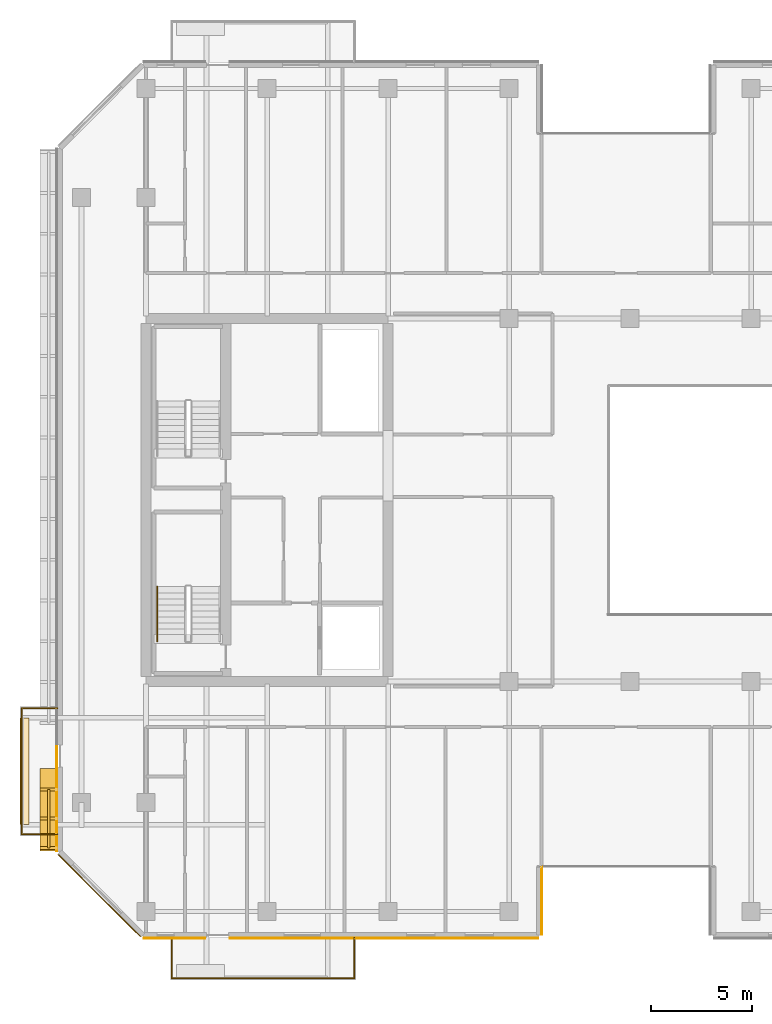
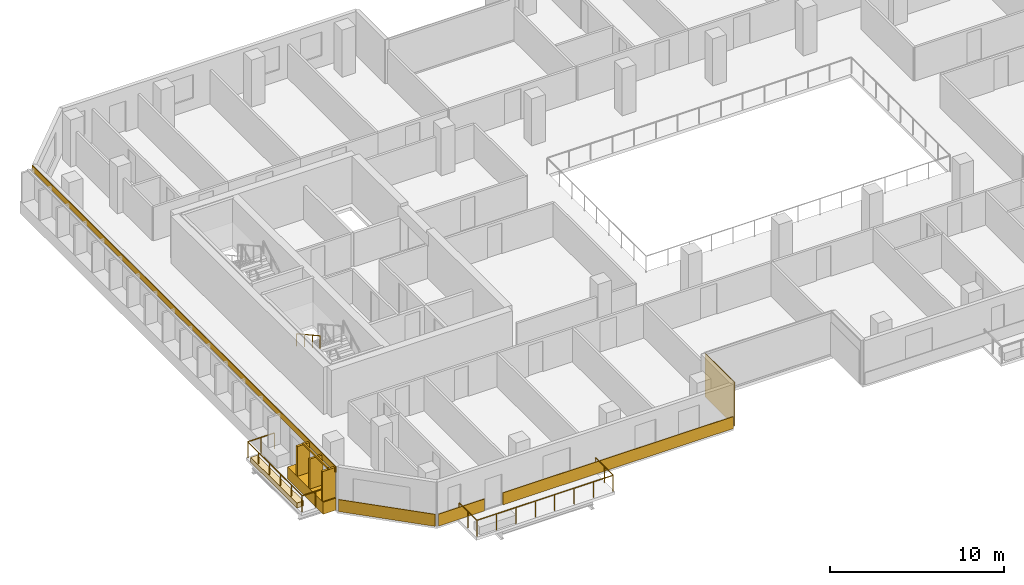
# One storey, part 16 of 19: 7 coverings, 4 railings.
"""IFC4 building model written with IfcOpenShell, lengths in metres."""

from ifc_helpers import new_model, si_unit, direction, frame, origin, origin_2d, place, context, subcontext, project, spatial, polyline, rectangle, outline, extrude, material, layer, layer_set, type_object, element, save


model = new_model("IFC4")

# Units and contexts
model_context = context("Model", 3, precision=1e-05, world=origin(), true_north=direction((0.0, 1.0)))
body_context = subcontext(model_context, "Body", "Model", "MODEL_VIEW")
ifc_project = project(units=[si_unit("LENGTHUNIT", "METRE"), si_unit("AREAUNIT", "SQUARE_METRE"), si_unit("VOLUMEUNIT", "CUBIC_METRE"), si_unit("PLANEANGLEUNIT", "RADIAN"), si_unit("MASSUNIT", "GRAM", prefix="KILO")], contexts=[model_context])

# Site, building, storey
site_placement = place(None, origin())
site = spatial("IfcSite", under=ifc_project, at=site_placement, CompositionType="ELEMENT")
building_placement = place(site_placement, origin())
building = spatial("IfcBuilding", under=site, at=building_placement, Name="Tanjung Sevakor Pilgrim Tower", CompositionType="ELEMENT")
storey_placement = place(building_placement, frame((0.0, 0.0, 135.300048828125)))
storey = spatial("IfcBuildingStorey", under=building, at=storey_placement, Name="L37", CompositionType="ELEMENT", Elevation=135.300048828125)

# Coverings
ifc_material_1 = material(Name="Reconstructed Limestone Cladding", Category="masonry")
ifc_layer_1 = layer(ifc_material_1, 0.044921875)
ifc_layer_set_1 = layer_set([ifc_layer_1], Name="COV-CLAD-LIMESTONE")
covering_type_1 = type_object("IfcCoveringType", Name="COV-CLAD-LIMESTONE", PredefinedType="CLADDING", material=ifc_layer_set_1)
covering_1_placement = place(storey_placement, frame((25.416015625, 11.87744140625, 0.009765625), z_axis=(0.0, 0.0, 1.0), x_axis=(1.0, 0.0, 0.0)))
element("IfcCovering", 1, at=covering_1_placement, inside=storey, type_object=covering_type_1, Name="L37 Warm Limestone Sill Spandrel EW-L37-MAIN-1-1", PredefinedType="CLADDING", context=body_context, shape_type="SweptSolid", body=[
    extrude(rectangle(XDim=3.048095703125, YDim=0.044921875, at=origin_2d()), origin(), (0.0, 0.0, 1.0), 0.840087890625),
])
covering_2_placement = place(storey_placement, frame((35.797607421875, 11.87744140625, 0.009765625), z_axis=(0.0, 0.0, 1.0), x_axis=(1.0, 0.0, 0.0)))
element("IfcCovering", 2, at=covering_2_placement, inside=storey, type_object=covering_type_1, Name="L37 Warm Limestone Sill Spandrel EW-L37-MAIN-1-2", PredefinedType="CLADDING", context=body_context, shape_type="SweptSolid", body=[
    extrude(rectangle(XDim=15.27490234375, YDim=0.044921875, at=origin_2d()), origin(), (0.0, 0.0, 1.0), 0.840087890625),
])
covering_3_placement = place(storey_placement, frame((43.62255859375, 13.72509765625, 0.02001953125), z_axis=(0.0, 0.0, 1.0), x_axis=(0.0, 1.0, 0.0)))
element("IfcCovering", 3, at=covering_3_placement, inside=storey, type_object=covering_type_1, Name="L37 Warm Limestone Wall Cladding EW-L37-MAIN-2", PredefinedType="CLADDING", context=body_context, shape_type="SweptSolid", body=[
    extrude(rectangle(XDim=3.360107421875, YDim=0.044921875, at=origin_2d()), origin(), (0.0, 0.0, 1.0), 3.0400390625),
])
covering_4_placement = place(storey_placement, frame((19.169921875, 18.240966796875, 0.009765625), z_axis=(0.0, 0.0, 1.0), x_axis=(0.0, -1.0, 0.0)))
element("IfcCovering", 4, at=covering_4_placement, inside=storey, type_object=covering_type_1, Name="L37 Warm Limestone Sill Spandrel EW-L37-MAIN-15-2", PredefinedType="CLADDING", context=body_context, shape_type="SweptSolid", body=[
    extrude(rectangle(XDim=4.09814453125, YDim=0.860107421875, at=origin_2d()), origin(), (0.0, 0.0, 1.0), 0.840087890625),
])
covering_5_placement = place(storey_placement, frame((19.577392578125, 33.60009765625, 2.66015625), z_axis=(0.0, 0.0, 1.0), x_axis=(0.0, -1.0, 0.0)))
element("IfcCovering", 5, at=covering_5_placement, inside=storey, type_object=covering_type_1, Name="L37 Warm Limestone Cornice Spandrel EW-L37-MAIN-15", PredefinedType="CLADDING", context=body_context, shape_type="SweptSolid", body=[
    extrude(rectangle(XDim=34.8564453125, YDim=0.044921875, at=origin_2d()), origin(), (0.0, 0.0, 1.0), 0.409912109375),
])
covering_6_placement = place(storey_placement, frame((21.68408203125, 13.984130859375, 0.009765625), z_axis=(0.0, 0.0, 1.0), x_axis=(0.707106781187, -0.707106781187, 0.0)))
element("IfcCovering", 6, at=covering_6_placement, inside=storey, type_object=covering_type_1, Name="L37 Warm Limestone Sill Spandrel EW-CHM-L37-MAIN-15-1", PredefinedType="CLADDING", context=body_context, shape_type="SweptSolid", body=[
    extrude(rectangle(XDim=5.756103515625, YDim=0.044921875, at=origin_2d()), origin(), (0.0, 0.0, 1.0), 0.840087890625),
])
ifc_material_2 = material(Name="Vegetated Modular Planter Assembly", Category="organic")
ifc_layer_2 = layer(ifc_material_2, 0.35009765625)
ifc_layer_set_2 = layer_set([ifc_layer_2], Name="COV-GRN-TROUGH")
covering_type_2 = type_object("IfcCoveringType", Name="COV-GRN-TROUGH", PredefinedType="CLADDING", material=ifc_layer_set_2)
covering_7_placement = place(storey_placement, origin())
element("IfcCovering", 7, at=covering_7_placement, inside=storey, type_object=covering_type_2, Name="L37 Planted Landscape Hedge Trough BGRN-L37-MAIN-W1", PredefinedType="CLADDING", context=body_context, shape_type="SweptSolid", body=[
    extrude(outline(polyline([(18.18994140625, 17.5), (18.18994140625, 22.800048828125), (17.75, 22.800048828125), (17.75, 17.5), (18.18994140625, 17.5)])), origin(), (0.0, 0.0, 1.0), 0.349853515625),
])

# Railings
ifc_material_3 = material(Name="Laminated Glass and Aluminium", Category="aluminium")
railing_type_1 = type_object("IfcRailingType", Name="RL-BAL-BALUST", PredefinedType="BALUSTRADE", material=ifc_material_3)
railing_1_placement = place(storey_placement, frame((25.280029296875, 11.89990234375, 0.0)))
element("IfcRailing", 8, at=railing_1_placement, inside=storey, type_object=railing_type_1, Name="L37 Loggia Balustrade MAIN-S1", PredefinedType="BALUSTRADE", context=body_context, shape_type="SweptSolid", body=[
    extrude(rectangle(XDim=0.0479, YDim=0.0479), frame((0.0, 0.0, 1.1259765625), z_axis=(0.0, -1.0, 0.0), x_axis=(1.0, 0.0, 0.0)), (0.0, 0.0, 1.0), 2.02001953125),
    extrude(rectangle(XDim=0.0479, YDim=0.0479), frame((0.0, -2.02001953125, 1.1259765625), z_axis=(1.0, 0.0, 0.0), x_axis=(0.0, 1.0, 0.0)), (0.0, 0.0, 1.0), 9.0400390625),
    extrude(rectangle(XDim=0.0479, YDim=0.0479), frame((9.0400390625, -2.02001953125, 1.1259765625), z_axis=(0.0, 1.0, 0.0), x_axis=(-1.0, 0.0, 0.0)), (0.0, 0.0, 1.0), 2.02001953125),
    extrude(rectangle(XDim=0.042, YDim=0.042), origin(), (0.0, 0.0, 1.0), 1.101806640625),
    extrude(rectangle(XDim=0.042, YDim=0.042), frame((0.0, -1.010009765625, 0.0)), (0.0, 0.0, 1.0), 1.101806640625),
    extrude(rectangle(XDim=0.042, YDim=0.042), frame((0.0, -2.02001953125, 0.0)), (0.0, 0.0, 1.0), 1.101806640625),
    extrude(rectangle(XDim=0.042, YDim=0.042), frame((1.29150390625, -2.02001953125, 0.0)), (0.0, 0.0, 1.0), 1.101806640625),
    extrude(rectangle(XDim=0.042, YDim=0.042), frame((2.582763671875, -2.02001953125, 0.0)), (0.0, 0.0, 1.0), 1.101806640625),
    extrude(rectangle(XDim=0.042, YDim=0.042), frame((3.874267578125, -2.02001953125, 0.0)), (0.0, 0.0, 1.0), 1.101806640625),
    extrude(rectangle(XDim=0.042, YDim=0.042), frame((5.165771484375, -2.02001953125, 0.0)), (0.0, 0.0, 1.0), 1.101806640625),
    extrude(rectangle(XDim=0.042, YDim=0.042), frame((6.457275390625, -2.02001953125, 0.0)), (0.0, 0.0, 1.0), 1.101806640625),
    extrude(rectangle(XDim=0.042, YDim=0.042), frame((7.74853515625, -2.02001953125, 0.0)), (0.0, 0.0, 1.0), 1.101806640625),
    extrude(rectangle(XDim=0.042, YDim=0.042), frame((9.0400390625, -2.02001953125, 0.0)), (0.0, 0.0, 1.0), 1.101806640625),
    extrude(rectangle(XDim=0.042, YDim=0.042), frame((9.0400390625, -1.010009765625, 0.0)), (0.0, 0.0, 1.0), 1.101806640625),
    extrude(rectangle(XDim=0.042, YDim=0.042), frame((9.0400390625, 0.0, 0.0)), (0.0, 0.0, 1.0), 1.101806640625),
])
railing_2_placement = place(storey_placement, frame((19.60009765625, 17.030029296875, 0.0)))
element("IfcRailing", 9, at=railing_2_placement, inside=storey, type_object=railing_type_1, Name="L37 Loggia Balustrade MAIN-W1", PredefinedType="BALUSTRADE", context=body_context, shape_type="SweptSolid", body=[
    extrude(rectangle(XDim=0.0479, YDim=0.0479), frame((0.0, 0.0, 1.1259765625), z_axis=(-1.0, 0.0, 0.0), x_axis=(0.0, -1.0, 0.0)), (0.0, 0.0, 1.0), 1.77001953125),
    extrude(rectangle(XDim=0.0479, YDim=0.0479), frame((-1.77001953125, 0.0, 1.1259765625), z_axis=(0.0, 1.0, 0.0), x_axis=(-1.0, 0.0, 0.0)), (0.0, 0.0, 1.0), 6.239990234375),
    extrude(rectangle(XDim=0.0479, YDim=0.0479), frame((-1.77001953125, 6.239990234375, 1.1259765625), z_axis=(1.0, 0.0, 0.0), x_axis=(0.0, 1.0, 0.0)), (0.0, 0.0, 1.0), 1.77001953125),
    extrude(rectangle(XDim=0.042, YDim=0.042), origin(), (0.0, 0.0, 1.0), 1.101806640625),
    extrude(rectangle(XDim=0.042, YDim=0.042), frame((-0.885009765625, 0.0, 0.0)), (0.0, 0.0, 1.0), 1.101806640625),
    extrude(rectangle(XDim=0.042, YDim=0.042), frame((-1.77001953125, 0.0, 0.0)), (0.0, 0.0, 1.0), 1.101806640625),
    extrude(rectangle(XDim=0.042, YDim=0.042), frame((-1.77001953125, 1.248046875, 0.0)), (0.0, 0.0, 1.0), 1.101806640625),
    extrude(rectangle(XDim=0.042, YDim=0.042), frame((-1.77001953125, 2.49609375, 0.0)), (0.0, 0.0, 1.0), 1.101806640625),
    extrude(rectangle(XDim=0.042, YDim=0.042), frame((-1.77001953125, 3.743896484375, 0.0)), (0.0, 0.0, 1.0), 1.101806640625),
    extrude(rectangle(XDim=0.042, YDim=0.042), frame((-1.77001953125, 4.991943359375, 0.0)), (0.0, 0.0, 1.0), 1.101806640625),
    extrude(rectangle(XDim=0.042, YDim=0.042), frame((-1.77001953125, 6.239990234375, 0.0)), (0.0, 0.0, 1.0), 1.101806640625),
    extrude(rectangle(XDim=0.042, YDim=0.042), frame((-0.885009765625, 6.239990234375, 0.0)), (0.0, 0.0, 1.0), 1.101806640625),
    extrude(rectangle(XDim=0.042, YDim=0.042), frame((0.0, 6.239990234375, 0.0)), (0.0, 0.0, 1.0), 1.101806640625),
])
ifc_material_4 = material(Name="Anodised Bronze Aluminium 6063-T6", Category="aluminium")
railing_type_2 = type_object("IfcRailingType", Name="RL-FIN-SCREEN", PredefinedType="BALUSTRADE", material=ifc_material_4)
railing_3_placement = place(storey_placement, frame((19.175048828125, 19.25, 0.83984375)))
element("IfcRailing", 10, at=railing_3_placement, inside=storey, type_object=railing_type_2, Name="L37 Vertical Bronze-Gold Solar Fin Screen FNEND-EW-L37-MAIN-15-2", PredefinedType="BALUSTRADE", context=body_context, shape_type="SweptSolid", body=[
    extrude(rectangle(XDim=0.105, YDim=0.105), frame((0.0, 0.0, 2.157470703125), z_axis=(0.0, -1.0, 0.0), x_axis=(1.0, 0.0, 0.0)), (0.0, 0.0, 1.0), 2.898193359375),
    extrude(rectangle(XDim=0.85, YDim=0.14), origin(), (0.0, 0.0, 1.0), 2.10498046875),
    extrude(rectangle(XDim=0.85, YDim=0.14), frame((0.0, -1.44921875, 0.0)), (0.0, 0.0, 1.0), 2.10498046875),
    extrude(rectangle(XDim=0.85, YDim=0.14), frame((0.0, -2.898193359375, 0.0)), (0.0, 0.0, 1.0), 2.10498046875),
])
ifc_material_5 = material(Name="Steel S355J2", Category="steel")
railing_type_3 = type_object("IfcRailingType", Name="RL-STAIR-HAND", PredefinedType="HANDRAIL", material=ifc_material_5)
railing_4_placement = place(storey_placement, frame((24.550048828125, 29.300048828125, 1.81494140625)))
element("IfcRailing", 11, at=railing_4_placement, inside=storey, type_object=railing_type_3, Name="L37 TS-W1 stair handrail 2", PredefinedType="HANDRAIL", context=body_context, shape_type="SweptSolid", body=[
    extrude(rectangle(XDim=0.0479, YDim=0.0479), frame((0.0, 0.0, 0.8759765625), z_axis=(0.0, -0.876197507361, 0.481952205197), x_axis=(1.0, 0.0, 0.0)), (0.0, 0.0, 1.0), 3.08154296875),
    extrude(rectangle(XDim=0.042, YDim=0.042), origin(), (0.0, 0.0, 1.0), 0.851806640625),
    extrude(rectangle(XDim=0.042, YDim=0.042), frame((0.0, -0.89990234375, 0.4951171875)), (0.0, 0.0, 1.0), 0.851806640625),
    extrude(rectangle(XDim=0.042, YDim=0.042), frame((0.0, -1.800048828125, 0.989990234375)), (0.0, 0.0, 1.0), 0.851806640625),
    extrude(rectangle(XDim=0.042, YDim=0.042), frame((0.0, -2.699951171875, 1.485107421875)), (0.0, 0.0, 1.0), 0.851806640625),
])

save(model, "model.ifc")
